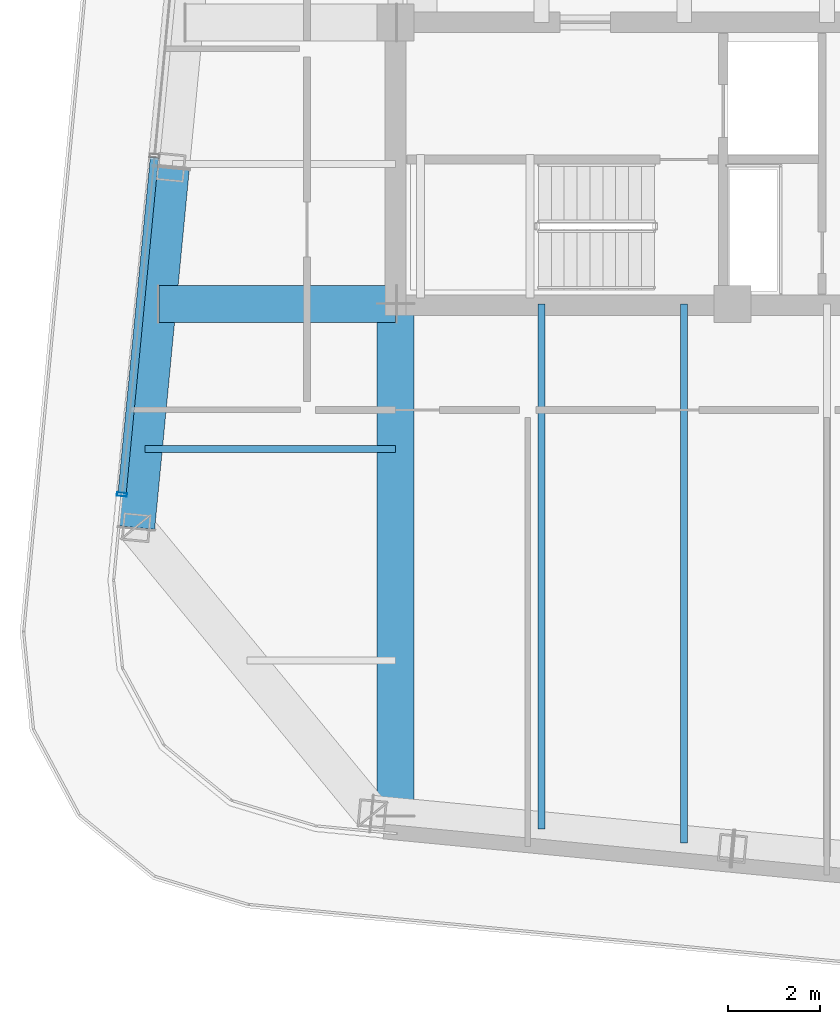
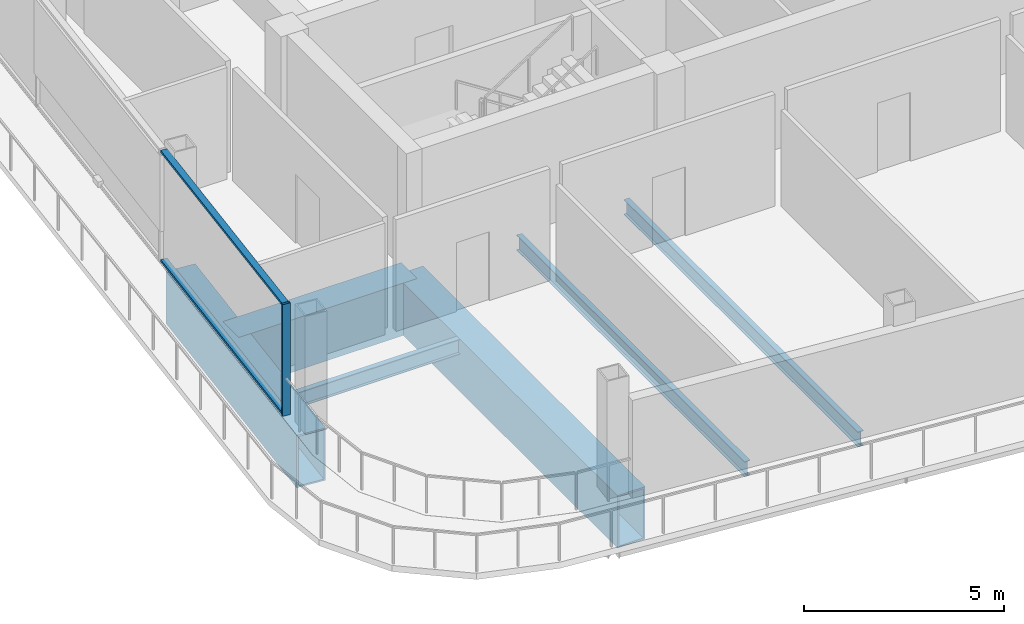
# One storey, part 2 of 20: 6 beams, 3 members, 1 element without a shape of its own.
"""IFC4 building model written with IfcOpenShell, lengths in metres."""

import ifcopenshell
import ifcopenshell.guid

model = None  # the IFC model being written
_history = None  # IfcOwnerHistory: only IFC2X3 demands one
_inside = {}  # id of a spatial element -> (the spatial element, [elements in it])
_under = {}  # id of a project, library or spatial element -> (it, [spatial elements below it])
_declared = {}  # id of a project -> (the project, [libraries it declares])
_typed = {}  # id of a type object -> (the type object, [elements of that type])
_made_of = {}  # id of a material, layer set ... -> (it, [elements and type objects made of it])


def new_model(schema):
    """Start an empty IFC model of exactly this schema.

    Asked for "IFC4X3", IfcOpenShell would pick the latest addendum, in which some entities
    have other attributes; the version numbers below select the first issue.
    IFC2X3 requires an IfcOwnerHistory on every rooted entity: one is made here for all.
    """
    global model, _history
    if schema == "IFC4X3":
        model = ifcopenshell.file(schema_version=(4, 3, 0, 0))
    else:
        model = ifcopenshell.file(schema=schema)
    _inside.clear()
    _under.clear()
    _declared.clear()
    _typed.clear()
    _made_of.clear()
    _history = None
    if model.schema == "IFC2X3":
        org = make("IfcOrganization", Name="unknown")
        user = make(
            "IfcPersonAndOrganization",
            ThePerson=make("IfcPerson", FamilyName="unknown"),
            TheOrganization=org,
        )
        app = make(
            "IfcApplication",
            ApplicationDeveloper=org,
            Version="unknown",
            ApplicationFullName="unknown",
            ApplicationIdentifier="unknown",
        )
        _history = make(
            "IfcOwnerHistory",
            OwningUser=user,
            OwningApplication=app,
            ChangeAction="ADDED",
            CreationDate=0,
        )
    return model


def make(cls, **values):
    """One entity of the class cls with the attributes given. An attribute that is None is left unset."""
    return model.create_entity(
        cls, **{name: value for name, value in values.items() if value is not None}
    )


def rooted(cls, **values):
    """An entity with a GlobalId (a new one), such as an element, a storey or a relation."""
    return make(cls, GlobalId=ifcopenshell.guid.new(), OwnerHistory=_history, **values)


def si_unit(unit_type, name, prefix=None):
    """IfcSIUnit, for example si_unit("LENGTHUNIT", "METRE", prefix="MILLI")."""
    return make("IfcSIUnit", UnitType=unit_type, Prefix=prefix, Name=name)


def assignment(units):
    """IfcUnitAssignment: the units of a project."""
    return None if units is None else make("IfcUnitAssignment", Units=units)


def point(xyz):
    """IfcCartesianPoint."""
    return None if xyz is None else make("IfcCartesianPoint", Coordinates=xyz)


def direction(xyz):
    """IfcDirection."""
    return None if xyz is None else make("IfcDirection", DirectionRatios=xyz)


def frame(location, z_axis=None, x_axis=None):
    """IfcAxis2Placement3D, a coordinate frame: its origin and axes. An axis left out is left unset."""
    return make(
        "IfcAxis2Placement3D",
        Location=point(location),
        Axis=direction(z_axis),
        RefDirection=direction(x_axis),
    )


def frame_2d(location, x_axis=None):
    """IfcAxis2Placement2D, a coordinate frame in the plane: its origin and x axis."""
    return make(
        "IfcAxis2Placement2D", Location=point(location), RefDirection=direction(x_axis)
    )


def origin():
    """The frame at (0, 0, 0) with its axes left unset."""
    return frame((0.0, 0.0, 0.0))


def origin_2d():
    """The frame at (0, 0) in the plane with its x axis left unset."""
    return frame_2d((0.0, 0.0))


def place(relative_to, where):
    """IfcLocalPlacement: puts the frame where relative to a parent placement (None: the world)."""
    return make(
        "IfcLocalPlacement", PlacementRelTo=relative_to, RelativePlacement=where
    )


def context(
    kind, dimensions, precision=None, world=None, true_north=None, identifier=None
):
    """IfcGeometricRepresentationContext, for example the 3D "Model" context."""
    return make(
        "IfcGeometricRepresentationContext",
        ContextIdentifier=identifier,
        ContextType=kind,
        CoordinateSpaceDimension=dimensions,
        Precision=precision,
        WorldCoordinateSystem=world,
        TrueNorth=true_north,
    )


def subcontext(parent, identifier, kind, view, scale=None):
    """IfcGeometricRepresentationSubContext, for example "Body" below "Model"."""
    return make(
        "IfcGeometricRepresentationSubContext",
        ContextIdentifier=identifier,
        ContextType=kind,
        ParentContext=parent,
        TargetScale=scale,
        TargetView=view,
    )


def project(units=None, contexts=None):
    """IfcProject with its units and contexts."""
    return rooted(
        "IfcProject",
        Name="project",
        RepresentationContexts=contexts,
        UnitsInContext=assignment(units),
    )


def spatial(cls, under=None, at=None, **own):
    """A site, building, storey or space (cls), placed at a placement, below another one or the project."""
    s = rooted(cls, ObjectPlacement=at, **own)
    if under is not None:
        _under.setdefault(under.id(), (under, []))[1].append(s)
    return s


def profile(cls, at=None, kind="AREA", **sizes):
    """A parametric profile (cls). Its sizes go by their IFC names, for example OverallWidth=200.0."""
    return make(cls, ProfileType=kind, Position=at, **sizes)


def hollow_rectangle(**sizes):
    """IfcRectangleHollowProfileDef."""
    return profile("IfcRectangleHollowProfileDef", **sizes)


def i_section(**sizes):
    """IfcIShapeProfileDef."""
    return profile("IfcIShapeProfileDef", **sizes)


def extrude(swept, where, along, depth):
    """IfcExtrudedAreaSolid: the profile swept, set in the frame where, extruded along a direction by depth."""
    return make(
        "IfcExtrudedAreaSolid",
        SweptArea=swept,
        Position=where,
        ExtrudedDirection=direction(along),
        Depth=depth,
    )


def shape(context_of_items, identifier, shape_type, items):
    """IfcShapeRepresentation: the items that make up one representation, for example the "Body"."""
    return make(
        "IfcShapeRepresentation",
        ContextOfItems=context_of_items,
        RepresentationIdentifier=identifier,
        RepresentationType=shape_type,
        Items=items,
    )


def material(Name=None, Category=None):
    """IfcMaterial."""
    return make("IfcMaterial", Name=Name, Category=Category)


def layer(
    of_material, thickness, ventilated=None, Name=None, Category=None, Priority=None
):
    """IfcMaterialLayer: one layer of a wall or slab, of a material (None: an air gap)."""
    return make(
        "IfcMaterialLayer",
        Material=of_material,
        LayerThickness=thickness,
        IsVentilated=ventilated,
        Name=Name,
        Category=Category,
        Priority=Priority,
    )


def layer_set(layers, Name=None):
    """IfcMaterialLayerSet."""
    return make("IfcMaterialLayerSet", MaterialLayers=layers, LayerSetName=Name)


def material_profile(
    of_material, cross_section, Name=None, Category=None, Priority=None
):
    """IfcMaterialProfile: a cross section and its material."""
    return make(
        "IfcMaterialProfile",
        Name=Name,
        Material=of_material,
        Profile=cross_section,
        Priority=Priority,
        Category=Category,
    )


def profile_set(profiles, Name=None, composite=None):
    """IfcMaterialProfileSet."""
    return make(
        "IfcMaterialProfileSet",
        Name=Name,
        MaterialProfiles=profiles,
        CompositeProfile=composite,
    )


def made_of(thing, what):
    """Note that an element or type object is made of a material, layer set ...; save() writes the relation."""
    if what is not None:
        _made_of.setdefault(what.id(), (what, []))[1].append(thing)
    return thing


def type_object(cls, material=None, **own):
    """A type object (cls), such as IfcWallType, which elements share."""
    return made_of(rooted(cls, **own), material)


def element(
    cls,
    number,
    at=None,
    inside=None,
    cuts=None,
    type_object=None,
    material=None,
    context=None,
    identifier="Body",
    shape_type=None,
    held_by="IfcProductDefinitionShape",
    body=None,
    shapes=None,
    **own,
):
    """One element of the class cls, such as IfcWall. Its Tag is "e" and its number.

    at: its placement. inside: the storey or other place that contains it. cuts: it is an
    opening in that element (IfcRelVoidsElement). A single representation is given by context,
    identifier, shape_type and body (its items); several are given by shapes. held_by: the class
    of the entity that holds the representations. save() writes the other relations.
    """
    e = rooted(cls, Tag="e%d" % number, ObjectPlacement=at, **own)
    if body is not None:
        shapes = [shape(context, identifier, shape_type, body)]
    if shapes is not None:
        e.Representation = make(held_by, Representations=shapes)
    if inside is not None:
        _inside.setdefault(inside.id(), (inside, []))[1].append(e)
    if cuts is not None:
        rooted(
            "IfcRelVoidsElement", RelatingBuildingElement=cuts, RelatedOpeningElement=e
        )
    if type_object is not None:
        _typed.setdefault(type_object.id(), (type_object, []))[1].append(e)
    return made_of(e, material)


def aggregate(whole, parts):
    """IfcRelAggregates: a whole, such as a stair, and the parts it consists of."""
    return rooted("IfcRelAggregates", RelatingObject=whole, RelatedObjects=parts)


def save(model, path):
    """Write the relations noted so far, then the file.

    IfcRelAggregates (storeys below a building ...), IfcRelContainedInSpatialStructure (elements
    in a storey), IfcRelDefinesByType, IfcRelAssociatesMaterial and IfcRelDeclares: one each for
    every whole, place, type object, material and project.
    """
    for whole, parts in _under.values():
        aggregate(whole, parts)
    for where, things in _inside.values():
        rooted(
            "IfcRelContainedInSpatialStructure",
            RelatedElements=things,
            RelatingStructure=where,
        )
    for kind, things in _typed.values():
        rooted("IfcRelDefinesByType", RelatedObjects=things, RelatingType=kind)
    for what, things in _made_of.values():
        rooted("IfcRelAssociatesMaterial", RelatedObjects=things, RelatingMaterial=what)
    for by, libraries in _declared.values():
        rooted("IfcRelDeclares", RelatingContext=by, RelatedDefinitions=libraries)
    model.write(path)


model = new_model("IFC4")

# Units and contexts
model_context = context("Model", 3, precision=1e-05, world=origin(), true_north=direction((0.0, 1.0)))
body_context = subcontext(model_context, "Body", "Model", "MODEL_VIEW")
ifc_project = project(units=[si_unit("LENGTHUNIT", "METRE"), si_unit("AREAUNIT", "SQUARE_METRE"), si_unit("VOLUMEUNIT", "CUBIC_METRE"), si_unit("PLANEANGLEUNIT", "RADIAN"), si_unit("MASSUNIT", "GRAM", prefix="KILO")], contexts=[model_context])

# Site, building, storey
site_placement = place(None, origin())
site = spatial("IfcSite", under=ifc_project, at=site_placement, CompositionType="ELEMENT")
building_placement = place(site_placement, origin())
building = spatial("IfcBuilding", under=site, at=building_placement, Name="Qhalaya Broadcast Tower", CompositionType="ELEMENT")
storey_placement = place(building_placement, frame((0.0, 0.0, 273.35009765625)))
storey = spatial("IfcBuildingStorey", under=building, at=storey_placement, Name="L81", CompositionType="ELEMENT", Elevation=273.35009765625)

# Beams
ifc_material_1 = material(Name="Structural Steel ASTM A992 Grade 50", Category="steel")
ifc_material_profile_1 = material_profile(ifc_material_1, i_section(OverallWidth=0.154052734375, OverallDepth=0.458984375, WebThickness=0.009033203125, FlangeThickness=0.015380859375, at=origin_2d()), Name="W18X46")
ifc_profile_set_1 = profile_set([ifc_material_profile_1], Name="Structural Steel ASTM A992 Grade 50")
beam_type_1 = type_object("IfcBeamType", Name="Composite Floor Joist J04", PredefinedType="JOIST", material=ifc_profile_set_1)
beam_1_placement = place(storey_placement, frame((-6.199951171875, -20.1630859375, -0.419677734375), z_axis=(0.0, 1.0, 0.0), x_axis=(-1.0, 0.0, 0.0)))
element("IfcBeam", 1, at=beam_1_placement, inside=storey, type_object=beam_type_1, Name="L81 J04 L81-JNS1-1", PredefinedType="JOIST", context=body_context, shape_type="SweptSolid", body=[
    extrude(i_section(OverallWidth=0.154052734375, OverallDepth=0.458984375, WebThickness=0.009033203125, FlangeThickness=0.015380859375, at=origin_2d()), origin(), (0.0, 0.0, 1.0), 11.4130859375),
])
beam_2_placement = place(storey_placement, frame((-3.10009765625, -20.46142578125, -0.419677734375), z_axis=(0.0, 1.0, 0.0), x_axis=(-1.0, 0.0, 0.0)))
element("IfcBeam", 2, at=beam_2_placement, inside=storey, type_object=beam_type_1, Name="L81 J04 L81-JNS2-1", PredefinedType="JOIST", context=body_context, shape_type="SweptSolid", body=[
    extrude(i_section(OverallWidth=0.154052734375, OverallDepth=0.458984375, WebThickness=0.009033203125, FlangeThickness=0.015380859375, at=origin_2d()), origin(), (0.0, 0.0, 1.0), 11.71142578125),
])
beam_3_placement = place(storey_placement, frame((-14.82568359375, -11.89990234375, -0.419677734375), z_axis=(1.0, 0.0, 0.0), x_axis=(0.0, 1.0, 0.0)))
element("IfcBeam", 3, at=beam_3_placement, inside=storey, type_object=beam_type_1, Name="L81 J04 L81-JWE2W-1", PredefinedType="JOIST", context=body_context, shape_type="SweptSolid", body=[
    extrude(i_section(OverallWidth=0.154052734375, OverallDepth=0.458984375, WebThickness=0.009033203125, FlangeThickness=0.015380859375, at=origin_2d()), origin(), (0.0, 0.0, 1.0), 5.45068359375),
])

# Curtain wall, members
ifc_material_2 = material(Name="Solar-Control Low-E Triple Glazing", Category="glass")
ifc_layer = layer(ifc_material_2, 0.219970703125, Name="Solar-Control Low-E Triple Glazing")
ifc_layer_set = layer_set([ifc_layer], Name="Solar-Control Low-E Triple Glazing")
curtain_wall_type = type_object("IfcCurtainWallType", Name="Crown Garden & Observation Windscreen Curtain Wall CW-06", PredefinedType="NOTDEFINED", material=ifc_layer_set)
curtain_wall_placement = place(storey_placement, origin())
curtain_wall = element("IfcCurtainWall", 4, at=curtain_wall_placement, inside=storey, type_object=curtain_wall_type, Name="L81 Unitised Curtain Wall L81-CW-W", PredefinedType="NOTDEFINED")
ifc_material_3 = material(Name="Anodised Aluminium 6063-T6", Category="aluminium")
ifc_material_profile_2 = material_profile(ifc_material_3, hollow_rectangle(XDim=0.074951171875, YDim=0.219970703125, WallThickness=0.00390625, at=origin_2d()), Name="ALU-MUL 75x220x4")
ifc_profile_set_2 = profile_set([ifc_material_profile_2], Name="Anodised Aluminium 6063-T6")
member_type_1 = type_object("IfcMemberType", Name="Unitised Curtain-Wall Mullion M01", PredefinedType="MULLION", material=ifc_profile_set_2)
member_1_placement = place(storey_placement, frame((-15.32275390625, -12.887451171875, 0.0), z_axis=(0.0, 0.0, 1.0), x_axis=(-0.095847667974, -0.995396013928, 0.0)))
member_1 = element("IfcMember", 5, at=member_1_placement, type_object=member_type_1, Name="CW-06 mullion 4", PredefinedType="MULLION", context=body_context, shape_type="SweptSolid", body=[
    extrude(hollow_rectangle(XDim=0.074951171875, YDim=0.219970703125, WallThickness=0.00390625, at=origin_2d()), origin(), (0.0, 0.0, 1.0), 3.409912109375),
])
ifc_material_profile_3 = material_profile(ifc_material_3, hollow_rectangle(XDim=0.074951171875, YDim=0.179931640625, WallThickness=0.00390625, at=origin_2d()), Name="ALU-TRN 75x180x4")
ifc_profile_set_3 = profile_set([ifc_material_profile_3], Name="Anodised Aluminium 6063-T6")
member_type_2 = type_object("IfcMemberType", Name="Unitised Curtain-Wall Transom T01", PredefinedType="USERDEFINED", material=ifc_profile_set_3)
member_2_placement = place(storey_placement, frame((-14.617431640625, -5.563232421875, 0.037353515625), z_axis=(-0.095844579162, -0.995396311348, 0.0), x_axis=(0.0, 0.0, 1.0)))
member_2 = element("IfcMember", 6, at=member_2_placement, type_object=member_type_2, Name="CW-06 transom 3.1", ObjectType="TRANSOM", PredefinedType="USERDEFINED", context=body_context, shape_type="SweptSolid", body=[
    extrude(hollow_rectangle(XDim=0.074951171875, YDim=0.179931640625, WallThickness=0.00390625, at=origin_2d()), origin(), (0.0, 0.0, 1.0), 7.32080078125),
])
member_3_placement = place(storey_placement, frame((-14.617431640625, -5.563232421875, 3.372314453125), z_axis=(-0.095844579162, -0.995396311348, 0.0), x_axis=(0.0, 0.0, 1.0)))
member_3 = element("IfcMember", 7, at=member_3_placement, type_object=member_type_2, Name="CW-06 transom 3.2", ObjectType="TRANSOM", PredefinedType="USERDEFINED", context=body_context, shape_type="SweptSolid", body=[
    extrude(hollow_rectangle(XDim=0.074951171875, YDim=0.179931640625, WallThickness=0.00390625, at=origin_2d()), origin(), (0.0, 0.0, 1.0), 7.32080078125),
])
aggregate(curtain_wall, [member_1, member_2, member_3])

# Beams
ifc_material_4 = material(Name="Structural Steel ASTM A572 Grade 50", Category="steel")
ifc_material_profile_4 = material_profile(ifc_material_4, hollow_rectangle(XDim=0.800048828125, YDim=1.60009765625, WallThickness=0.050048828125, at=origin_2d()), Name="BOX 800x1600x50")
ifc_profile_set_4 = profile_set([ifc_material_profile_4], Name="Structural Steel ASTM A572 Grade 50")
beam_type_2 = type_object("IfcBeamType", Name="Upper Cantilever Transfer Box Girder TG2", PredefinedType="USERDEFINED", material=ifc_profile_set_4)
beam_4_placement = place(storey_placement, frame((-14.25634765625, -5.77783203125, -0.989990234375), z_axis=(-0.095864972855, -0.995394347472, 0.0), x_axis=(0.995394347472, -0.095864972855, 0.0)))
element("IfcBeam", 8, at=beam_4_placement, inside=storey, type_object=beam_type_2, Name="L81 TG2 L81-SPR-15", ObjectType="GIRDER", PredefinedType="USERDEFINED", context=body_context, shape_type="SweptSolid", body=[
    extrude(hollow_rectangle(XDim=0.800048828125, YDim=1.60009765625, WallThickness=0.050048828125, at=origin_2d()), origin(), (0.0, 0.0, 1.0), 7.86669921875),
])
beam_5_placement = place(storey_placement, frame((-9.375, -19.857421875, -0.989990234375), z_axis=(0.0, 1.0, 0.0), x_axis=(-1.0, 0.0, 0.0)))
element("IfcBeam", 9, at=beam_5_placement, inside=storey, type_object=beam_type_2, Name="L81 TG2 L81-PGXS1-1", ObjectType="GIRDER", PredefinedType="USERDEFINED", context=body_context, shape_type="SweptSolid", body=[
    extrude(hollow_rectangle(XDim=0.800048828125, YDim=1.60009765625, WallThickness=0.050048828125, at=origin_2d()), origin(), (0.0, 0.0, 1.0), 11.107421875),
])
beam_6_placement = place(storey_placement, frame((-14.5224609375, -8.75, -0.989990234375), z_axis=(1.0, 0.0, 0.0), x_axis=(0.0, 1.0, 0.0)))
element("IfcBeam", 10, at=beam_6_placement, inside=storey, type_object=beam_type_2, Name="L81 TG2 L81-PGYW1-1", ObjectType="GIRDER", PredefinedType="USERDEFINED", context=body_context, shape_type="SweptSolid", body=[
    extrude(hollow_rectangle(XDim=0.800048828125, YDim=1.60009765625, WallThickness=0.050048828125, at=origin_2d()), origin(), (0.0, 0.0, 1.0), 5.1474609375),
])

save(model, "model.ifc")
